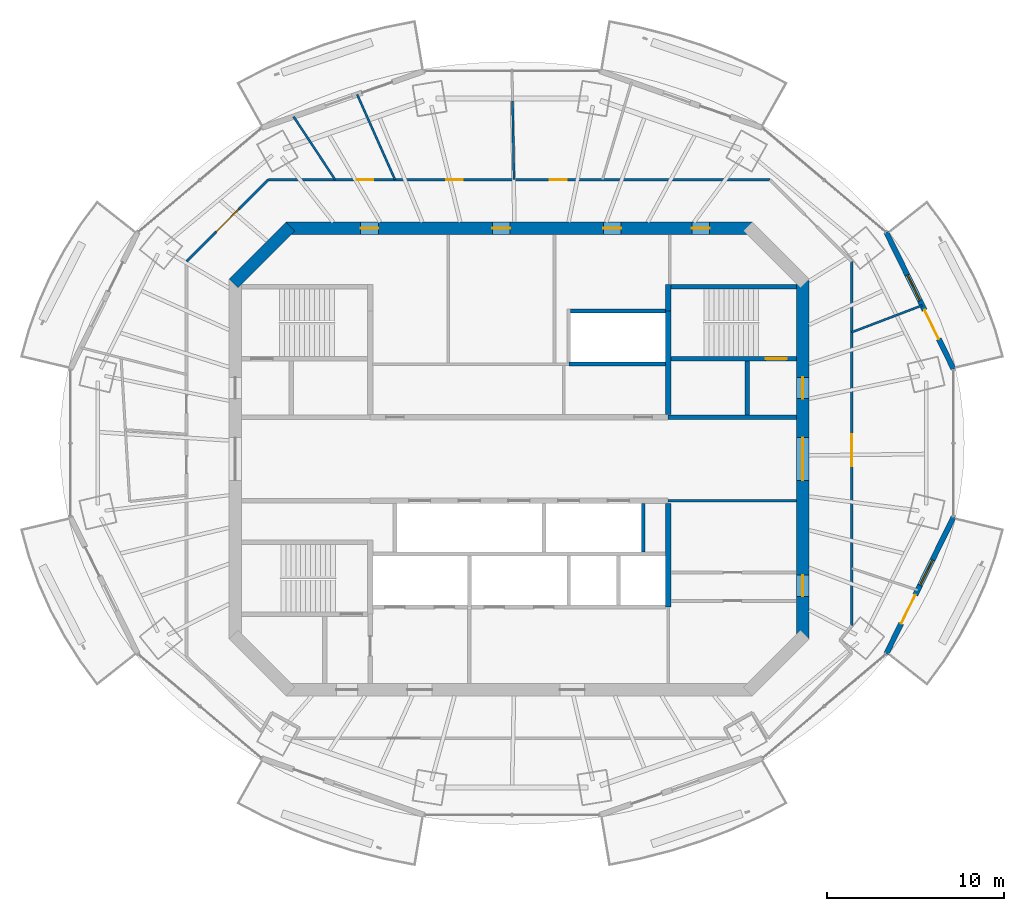
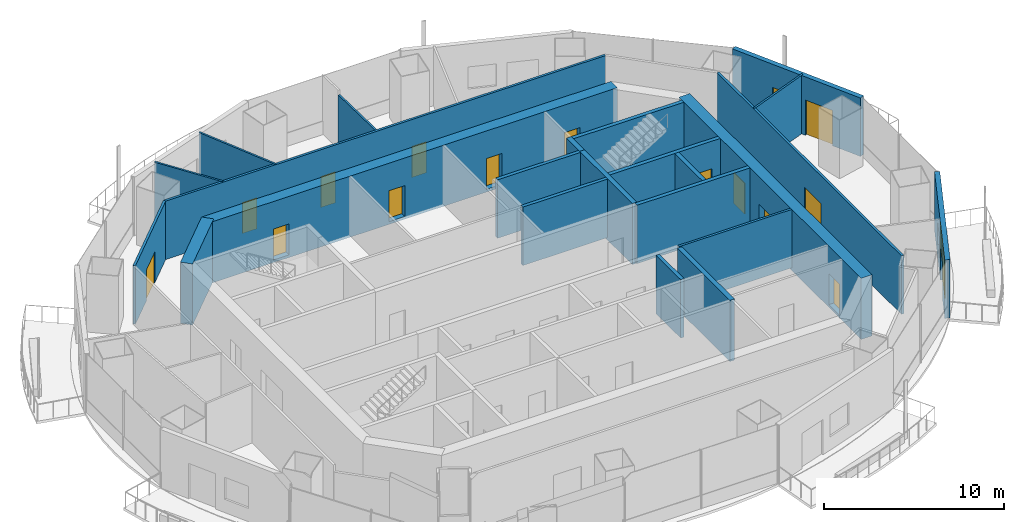
# One storey, part 10 of 15: 23 walls, 15 doors, 2 windows, 17 openings.
"""IFC4 building model written with IfcOpenShell, lengths in metres."""

from ifc_helpers import new_model, si_unit, direction, frame, frame_2d, origin, place, context, subcontext, project, spatial, rectangle, extrude, material, layer, layer_set, type_object, element, fill, save


model = new_model("IFC4")

# Units and contexts
model_context = context("Model", 3, precision=1e-05, world=origin(), true_north=direction((0.0, 1.0)))
body_context = subcontext(model_context, "Body", "Model", "MODEL_VIEW")
ifc_project = project(units=[si_unit("LENGTHUNIT", "METRE"), si_unit("AREAUNIT", "SQUARE_METRE"), si_unit("VOLUMEUNIT", "CUBIC_METRE"), si_unit("PLANEANGLEUNIT", "RADIAN"), si_unit("MASSUNIT", "GRAM", prefix="KILO")], contexts=[model_context])

# Site, building, storey
site_placement = place(None, origin())
site = spatial("IfcSite", under=ifc_project, at=site_placement, CompositionType="ELEMENT")
building_placement = place(site_placement, origin())
building = spatial("IfcBuilding", under=site, at=building_placement, Name="Marenthal Gate Tower", CompositionType="ELEMENT")
storey_placement = place(building_placement, frame((0.0, 0.0, 388.25)))
storey = spatial("IfcBuildingStorey", under=building, at=storey_placement, Name="L88", CompositionType="ELEMENT", Elevation=388.25)

# Wall, openings, doors
ifc_material_1 = material(Name="Concrete 60 MPa", Category="concrete")
ifc_layer_1 = layer(ifc_material_1, 0.699951171875)
ifc_layer_set_1 = layer_set([ifc_layer_1], Name="Core shear wall 700")
wall_type_1 = type_object("IfcWallType", Name="Core shear wall 700", PredefinedType="SHEAR", material=ifc_layer_set_1)
wall_1_placement = place(storey_placement, frame((16.0, -10.14501953125, -0.179931640625), z_axis=(0.0, 0.0, 1.0), x_axis=(0.0, 1.0, 0.0)))
wall_1 = element("IfcWall", 1, at=wall_1_placement, inside=storey, type_object=wall_type_1, Name="Core wall 02", PredefinedType="SHEAR", context=body_context, shape_type="SweptSolid", body=[
    extrude(rectangle(XDim=20.2900390625, YDim=0.699951171875, at=frame_2d((10.14501953125, 0.0))), origin(), (0.0, 0.0, 1.0), 4.14990234375),
])
opening_1_placement = place(wall_1_placement, frame((8.945068359375, 0.0, 0.179931640625)))
opening_1 = element("IfcOpeningElement", 2, at=opening_1_placement, cuts=wall_1, Name="Opening D003.02", PredefinedType="OPENING", context=body_context, shape_type="SweptSolid", body=[
    extrude(rectangle(XDim=2.39990234375, YDim=2.10009765625, at=frame_2d((1.199951171875, 1.050048828125))), frame((0.0, 0.35986328125, 0.0), z_axis=(0.0, -1.0, 0.0), x_axis=(1.0, 0.0, 0.0)), (0.0, 0.0, 1.0), 0.719970703125),
])
opening_2_placement = place(wall_1_placement, frame((13.544921875, 0.0, 0.179931640625)))
opening_2 = element("IfcOpeningElement", 3, at=opening_2_placement, cuts=wall_1, Name="Opening D001.05", PredefinedType="OPENING", context=body_context, shape_type="SweptSolid", body=[
    extrude(rectangle(XDim=1.199951171875, YDim=2.10009765625, at=frame_2d((0.60009765625, 1.050048828125))), frame((0.0, 0.35986328125, 0.0), z_axis=(0.0, -1.0, 0.0), x_axis=(1.0, 0.0, 0.0)), (0.0, 0.0, 1.0), 0.719970703125),
])
opening_3_placement = place(wall_1_placement, frame((2.39990234375, 0.0, 0.179931640625)))
opening_3 = element("IfcOpeningElement", 4, at=opening_3_placement, cuts=wall_1, Name="Opening D006.01", PredefinedType="OPENING", context=body_context, shape_type="SweptSolid", body=[
    extrude(rectangle(XDim=1.199951171875, YDim=2.10009765625, at=frame_2d((0.60009765625, 1.050048828125))), frame((0.0, 0.35986328125, 0.0), z_axis=(0.0, -1.0, 0.0), x_axis=(1.0, 0.0, 0.0)), (0.0, 0.0, 1.0), 0.719970703125),
])
ifc_material_2 = material(Name="Steel fire door", Category="steel")
door_type_1 = type_object("IfcDoorType", Name="Double fire door FD 45 2400 x 2100", OperationType="DOUBLE_DOOR_SINGLE_SWING", PredefinedType="DOOR", material=ifc_material_2)
door_1_placement = place(opening_1_placement, origin())
door_1 = element("IfcDoor", 5, at=door_1_placement, inside=storey, type_object=door_type_1, Name="Door D003.02", OperationType="DOUBLE_DOOR_SINGLE_SWING", OverallHeight=2.10009765625, OverallWidth=2.39990234375, PredefinedType="DOOR", context=body_context, shape_type="SweptSolid", body=[
    extrude(rectangle(XDim=2.39990234375, YDim=2.10009765625, at=frame_2d((1.199951171875, 1.050048828125))), frame((0.0, 0.02490234375, 0.0), z_axis=(0.0, -1.0, 0.0), x_axis=(1.0, 0.0, 0.0)), (0.0, 0.0, 1.0), 0.050048828125),
])
fill(opening_1, door_1)
ifc_material_3 = material(Name="Steel fire door", Category="steel")
door_type_2 = type_object("IfcDoorType", Name="Fire door FD 45 1200 x 2100", OperationType="NOTDEFINED", PredefinedType="DOOR", material=ifc_material_3)
door_2_placement = place(opening_3_placement, origin())
door_2 = element("IfcDoor", 6, at=door_2_placement, inside=storey, type_object=door_type_2, Name="Door D006.01", OperationType="SINGLE_SWING_RIGHT", OverallHeight=2.10009765625, OverallWidth=1.199951171875, PredefinedType="DOOR", context=body_context, shape_type="SweptSolid", body=[
    extrude(rectangle(XDim=1.199951171875, YDim=2.10009765625, at=frame_2d((0.60009765625, 1.050048828125))), frame((0.0, 0.02490234375, 0.0), z_axis=(0.0, -1.0, 0.0), x_axis=(1.0, 0.0, 0.0)), (0.0, 0.0, 1.0), 0.050048828125),
])
fill(opening_3, door_2)
ifc_material_4 = material(Name="Steel fire door", Category="steel")
door_type_3 = type_object("IfcDoorType", Name="Fire door FD 90 1200 x 2100", OperationType="NOTDEFINED", PredefinedType="DOOR", material=ifc_material_4)
door_3_placement = place(opening_2_placement, origin())
door_3 = element("IfcDoor", 7, at=door_3_placement, inside=storey, type_object=door_type_3, Name="Door D001.05", OperationType="SINGLE_SWING_RIGHT", OverallHeight=2.10009765625, OverallWidth=1.199951171875, PredefinedType="DOOR", context=body_context, shape_type="SweptSolid", body=[
    extrude(rectangle(XDim=1.199951171875, YDim=2.10009765625, at=frame_2d((0.60009765625, 1.050048828125))), frame((0.0, 0.02490234375, 0.0), z_axis=(0.0, -1.0, 0.0), x_axis=(1.0, 0.0, 0.0)), (0.0, 0.0, 1.0), 0.050048828125),
])
fill(opening_2, door_3)

wall_2_placement = place(storey_placement, frame((13.14501953125, 13.0, -0.179931640625), z_axis=(0.0, 0.0, 1.0), x_axis=(-1.0, 0.0, 0.0)))
wall_2 = element("IfcWall", 8, at=wall_2_placement, inside=storey, type_object=wall_type_1, Name="Core wall 04", PredefinedType="SHEAR", context=body_context, shape_type="SweptSolid", body=[
    extrude(rectangle(XDim=26.2900390625, YDim=0.699951171875, at=frame_2d((13.14501953125, 0.0))), origin(), (0.0, 0.0, 1.0), 4.14990234375),
])
opening_4_placement = place(wall_2_placement, frame((21.07275390625, 0.0, 0.179931640625)))
opening_4 = element("IfcOpeningElement", 9, at=opening_4_placement, cuts=wall_2, Name="Opening D005.03", PredefinedType="OPENING", context=body_context, shape_type="SweptSolid", body=[
    extrude(rectangle(XDim=1.0, YDim=2.10009765625, at=frame_2d((0.5, 1.050048828125))), frame((0.0, 0.35986328125, 0.0), z_axis=(0.0, -1.0, 0.0), x_axis=(1.0, 0.0, 0.0)), (0.0, 0.0, 1.0), 0.719970703125),
])
opening_5_placement = place(wall_2_placement, frame((13.64501953125, 0.0, 0.179931640625)))
opening_5 = element("IfcOpeningElement", 10, at=opening_5_placement, cuts=wall_2, Name="Opening D005.04", PredefinedType="OPENING", context=body_context, shape_type="SweptSolid", body=[
    extrude(rectangle(XDim=1.0, YDim=2.10009765625, at=frame_2d((0.5, 1.050048828125))), frame((0.0, 0.35986328125, 0.0), z_axis=(0.0, -1.0, 0.0), x_axis=(1.0, 0.0, 0.0)), (0.0, 0.0, 1.0), 0.719970703125),
])
opening_6_placement = place(wall_2_placement, frame((7.39501953125, 0.0, 0.179931640625)))
opening_6 = element("IfcOpeningElement", 11, at=opening_6_placement, cuts=wall_2, Name="Opening D005.05", PredefinedType="OPENING", context=body_context, shape_type="SweptSolid", body=[
    extrude(rectangle(XDim=1.0, YDim=2.10009765625, at=frame_2d((0.5, 1.050048828125))), frame((0.0, 0.35986328125, 0.0), z_axis=(0.0, -1.0, 0.0), x_axis=(1.0, 0.0, 0.0)), (0.0, 0.0, 1.0), 0.719970703125),
])
opening_7_placement = place(wall_2_placement, frame((2.39990234375, 0.0, 0.179931640625)))
opening_7 = element("IfcOpeningElement", 12, at=opening_7_placement, cuts=wall_2, Name="Opening D005.06", PredefinedType="OPENING", context=body_context, shape_type="SweptSolid", body=[
    extrude(rectangle(XDim=1.0, YDim=2.10009765625, at=frame_2d((0.5, 1.050048828125))), frame((0.0, 0.35986328125, 0.0), z_axis=(0.0, -1.0, 0.0), x_axis=(1.0, 0.0, 0.0)), (0.0, 0.0, 1.0), 0.719970703125),
])
ifc_material_5 = material(Name="Steel fire door", Category="steel")
door_type_4 = type_object("IfcDoorType", Name="Fire door FD 45 1000 x 2100", OperationType="NOTDEFINED", PredefinedType="DOOR", material=ifc_material_5)
door_4_placement = place(opening_4_placement, origin())
door_4 = element("IfcDoor", 13, at=door_4_placement, inside=storey, type_object=door_type_4, Name="Door D005.03", OperationType="SINGLE_SWING_RIGHT", OverallHeight=2.10009765625, OverallWidth=1.0, PredefinedType="DOOR", context=body_context, shape_type="SweptSolid", body=[
    extrude(rectangle(XDim=1.0, YDim=2.10009765625, at=frame_2d((0.5, 1.050048828125))), frame((0.0, 0.02490234375, 0.0), z_axis=(0.0, -1.0, 0.0), x_axis=(1.0, 0.0, 0.0)), (0.0, 0.0, 1.0), 0.050048828125),
])
fill(opening_4, door_4)
door_5_placement = place(opening_5_placement, origin())
door_5 = element("IfcDoor", 14, at=door_5_placement, inside=storey, type_object=door_type_4, Name="Door D005.04", OperationType="SINGLE_SWING_RIGHT", OverallHeight=2.10009765625, OverallWidth=1.0, PredefinedType="DOOR", context=body_context, shape_type="SweptSolid", body=[
    extrude(rectangle(XDim=1.0, YDim=2.10009765625, at=frame_2d((0.5, 1.050048828125))), frame((0.0, 0.02490234375, 0.0), z_axis=(0.0, -1.0, 0.0), x_axis=(1.0, 0.0, 0.0)), (0.0, 0.0, 1.0), 0.050048828125),
])
fill(opening_5, door_5)
door_6_placement = place(opening_6_placement, origin())
door_6 = element("IfcDoor", 15, at=door_6_placement, inside=storey, type_object=door_type_4, Name="Door D005.05", OperationType="SINGLE_SWING_RIGHT", OverallHeight=2.10009765625, OverallWidth=1.0, PredefinedType="DOOR", context=body_context, shape_type="SweptSolid", body=[
    extrude(rectangle(XDim=1.0, YDim=2.10009765625, at=frame_2d((0.5, 1.050048828125))), frame((0.0, 0.02490234375, 0.0), z_axis=(0.0, -1.0, 0.0), x_axis=(1.0, 0.0, 0.0)), (0.0, 0.0, 1.0), 0.050048828125),
])
fill(opening_6, door_6)
door_7_placement = place(opening_7_placement, origin())
door_7 = element("IfcDoor", 16, at=door_7_placement, inside=storey, type_object=door_type_4, Name="Door D005.06", OperationType="SINGLE_SWING_RIGHT", OverallHeight=2.10009765625, OverallWidth=1.0, PredefinedType="DOOR", context=body_context, shape_type="SweptSolid", body=[
    extrude(rectangle(XDim=1.0, YDim=2.10009765625, at=frame_2d((0.5, 1.050048828125))), frame((0.0, 0.02490234375, 0.0), z_axis=(0.0, -1.0, 0.0), x_axis=(1.0, 0.0, 0.0)), (0.0, 0.0, 1.0), 0.050048828125),
])
fill(opening_7, door_7)

# Walls
wall_3_placement = place(storey_placement, frame((-12.8974609375, 13.1025390625, -0.179931640625), z_axis=(0.0, 0.0, 1.0), x_axis=(-0.707106781187, -0.707106781187, 0.0)))
element("IfcWall", 17, at=wall_3_placement, inside=storey, type_object=wall_type_1, Name="Core wall 05", PredefinedType="SHEAR", context=body_context, shape_type="SweptSolid", body=[
    extrude(rectangle(XDim=4.53271484375, YDim=0.699951171875, at=frame_2d((2.266357421875, 0.0))), origin(), (0.0, 0.0, 1.0), 4.14990234375),
])
ifc_material_6 = material(Name="Concrete 50 MPa", Category="concrete")
ifc_layer_2 = layer(ifc_material_6, 0.300048828125)
ifc_layer_set_2 = layer_set([ifc_layer_2], Name="Hoistway shear wall 300")
wall_type_2 = type_object("IfcWallType", Name="Hoistway shear wall 300", PredefinedType="SHEAR", material=ifc_layer_set_2)
for number, where, z_axis, x_axis, name in (
    (18, (8.39990234375, -8.35009765625, -0.179931640625), (0.0, 0.0, 1.0), (0.0, 1.0, 0.0), "Hoistway wall 47"),
    (19, (8.39990234375, 2.5, -0.179931640625), (0.0, 0.0, 1.0), (0.0, 1.0, 0.0), "Hoistway wall 48"),
):
    element("IfcWall", number, at=place(storey_placement, frame(where, z_axis=z_axis, x_axis=x_axis)), inside=storey, type_object=wall_type_2, Name=name, PredefinedType="SHEAR", context=body_context, shape_type="SweptSolid", body=[
        extrude(rectangle(XDim=5.85009765625, YDim=0.300048828125, at=frame_2d((2.925048828125, 0.0))), origin(), (0.0, 0.0, 1.0), 4.14990234375),
    ])
ifc_material_7 = material(Name="Concrete 40 MPa", Category="concrete")
ifc_layer_3 = layer(ifc_material_7, 0.219970703125)
ifc_layer_set_3 = layer_set([ifc_layer_3], Name="Hoistway wall 220")
wall_type_3 = type_object("IfcWallType", Name="Hoistway wall 220", PredefinedType="STANDARD", material=ifc_layer_set_3)
wall_4_placement = place(storey_placement, frame((2.800048828125, 5.35009765625, 0.0), z_axis=(0.0, 0.0, 1.0), x_axis=(1.0, 0.0, 0.0)))
element("IfcWall", 20, at=wall_4_placement, inside=storey, type_object=wall_type_3, Name="Hoistway wall 23", PredefinedType="STANDARD", context=body_context, shape_type="SweptSolid", body=[
    extrude(rectangle(XDim=5.449951171875, YDim=0.219970703125, at=frame_2d((2.72509765625, 0.0))), origin(), (0.0, 0.0, 1.0), 3.969970703125),
])
wall_5_placement = place(storey_placement, frame((2.909912109375, 8.35009765625, 0.0), z_axis=(0.0, 0.0, 1.0), x_axis=(1.0, 0.0, 0.0)))
element("IfcWall", 21, at=wall_5_placement, inside=storey, type_object=wall_type_3, Name="Hoistway wall 26", PredefinedType="STANDARD", context=body_context, shape_type="SweptSolid", body=[
    extrude(rectangle(XDim=5.340087890625, YDim=0.219970703125, at=frame_2d((2.669921875, 0.0))), origin(), (0.0, 0.0, 1.0), 3.969970703125),
])
wall_6_placement = place(storey_placement, frame((7.0, -5.239990234375, 0.0), z_axis=(0.0, 0.0, 1.0), x_axis=(0.0, 1.0, 0.0)))
element("IfcWall", 22, at=wall_6_placement, inside=storey, type_object=wall_type_3, Name="Hoistway wall 45", PredefinedType="STANDARD", context=body_context, shape_type="SweptSolid", body=[
    extrude(rectangle(XDim=2.739990234375, YDim=0.219970703125, at=frame_2d((1.3701171875, 0.0))), origin(), (0.0, 0.0, 1.0), 3.969970703125),
])
ifc_material_8 = material(Name="Gypsum board on steel studs", Category="steel")
ifc_layer_4 = layer(ifc_material_8, 0.1201171875)
ifc_layer_set_4 = layer_set([ifc_layer_4], Name="Partition 120")
wall_type_4 = type_object("IfcWallType", Name="Partition 120", PredefinedType="PARTITIONING", material=ifc_layer_set_4)
wall_7_placement = place(storey_placement, frame((-10.37255859375, 15.75, 0.0), z_axis=(0.0, 0.0, 1.0), x_axis=(-0.550014013295, 0.835155425762, 0.0)))
element("IfcWall", 23, at=wall_7_placement, inside=storey, type_object=wall_type_4, Name="Partition wall 63", PredefinedType="PARTITIONING", context=body_context, shape_type="SweptSolid", body=[
    extrude(rectangle(XDim=4.251953125, YDim=0.1201171875, at=frame_2d((2.1259765625, 0.0))), origin(), (0.0, 0.0, 1.0), 3.969970703125),
])
wall_8_placement = place(storey_placement, frame((-6.99560546875, 15.75, 0.0), z_axis=(0.0, 0.0, 1.0), x_axis=(-0.405909939035, 0.913913081968, 0.0)))
element("IfcWall", 24, at=wall_8_placement, inside=storey, type_object=wall_type_4, Name="Partition wall 64", PredefinedType="PARTITIONING", context=body_context, shape_type="SweptSolid", body=[
    extrude(rectangle(XDim=5.25390625, YDim=0.1201171875, at=frame_2d((2.626953125, 0.0))), origin(), (0.0, 0.0, 1.0), 3.969970703125),
])
wall_9_placement = place(storey_placement, frame((-0.2880859375, 15.75, 0.0), z_axis=(0.0, 0.0, 1.0), x_axis=(-0.018290966414, 0.99983270628, 0.0)))
element("IfcWall", 25, at=wall_9_placement, inside=storey, type_object=wall_type_4, Name="Partition wall 65", PredefinedType="PARTITIONING", context=body_context, shape_type="SweptSolid", body=[
    extrude(rectangle(XDim=4.431396484375, YDim=0.1201171875, at=frame_2d((2.2158203125, 0.0))), origin(), (0.0, 0.0, 1.0), 3.659912109375),
])
wall_10_placement = place(storey_placement, frame((18.75, 7.14501953125, 0.0), z_axis=(0.0, 0.0, 1.0), x_axis=(0.934470468692, 0.35604064816, 0.0)))
element("IfcWall", 26, at=wall_10_placement, inside=storey, type_object=wall_type_4, Name="Partition wall 76", PredefinedType="PARTITIONING", context=body_context, shape_type="SweptSolid", body=[
    extrude(rectangle(XDim=4.256103515625, YDim=0.1201171875, at=frame_2d((2.1279296875, 0.0))), origin(), (0.0, 0.0, 1.0), 3.969970703125),
])
ifc_material_9 = material(Name="Gypsum board on steel studs", Category="steel")
ifc_layer_5 = layer(ifc_material_9, 0.14990234375)
ifc_layer_set_5 = layer_set([ifc_layer_5], Name="Partition 150")
wall_type_5 = type_object("IfcWallType", Name="Partition 150", PredefinedType="PARTITIONING", material=ifc_layer_set_5)
wall_11_placement = place(storey_placement, frame((8.39990234375, -2.35009765625, 0.0), z_axis=(0.0, 0.0, 1.0), x_axis=(1.0, 0.0, 0.0)))
element("IfcWall", 27, at=wall_11_placement, inside=storey, type_object=wall_type_5, Name="Partition wall 18", PredefinedType="PARTITIONING", context=body_context, shape_type="SweptSolid", body=[
    extrude(rectangle(XDim=7.25, YDim=0.14990234375, at=frame_2d((3.625, 0.0))), origin(), (0.0, 0.0, 1.0), 3.969970703125),
])

# Wall, opening, door
wall_12_placement = place(storey_placement, frame((-18.75, 11.13916015625, 0.0), z_axis=(0.0, 0.0, 1.0), x_axis=(0.707106781187, 0.707106781187, 0.0)))
wall_12 = element("IfcWall", 28, at=wall_12_placement, inside=storey, type_object=wall_type_5, Name="Partition wall 57", PredefinedType="PARTITIONING", context=body_context, shape_type="SweptSolid", body=[
    extrude(rectangle(XDim=6.520751953125, YDim=0.14990234375, at=frame_2d((3.26025390625, 0.0))), origin(), (0.0, 0.0, 1.0), 3.969970703125),
])
opening_8_placement = place(wall_12_placement, frame((2.360107421875, 0.0, 0.0)))
opening_8 = element("IfcOpeningElement", 29, at=opening_8_placement, cuts=wall_12, Name="Opening D014.01", PredefinedType="OPENING", context=body_context, shape_type="SweptSolid", body=[
    extrude(rectangle(XDim=1.800048828125, YDim=2.10009765625, at=frame_2d((0.89990234375, 1.050048828125))), frame((0.0, 0.0849609375, 0.0), z_axis=(0.0, -1.0, 0.0), x_axis=(1.0, 0.0, 0.0)), (0.0, 0.0, 1.0), 0.169921875),
])
ifc_material_10 = material(Name="Timber door", Category="wood")
door_type_5 = type_object("IfcDoorType", Name="Double door 1800 x 2100", OperationType="DOUBLE_DOOR_SINGLE_SWING", PredefinedType="DOOR", material=ifc_material_10)
door_8_placement = place(opening_8_placement, origin())
door_8 = element("IfcDoor", 30, at=door_8_placement, inside=storey, type_object=door_type_5, Name="Door D014.01", OperationType="DOUBLE_DOOR_SINGLE_SWING", OverallHeight=2.10009765625, OverallWidth=1.800048828125, PredefinedType="DOOR", context=body_context, shape_type="SweptSolid", body=[
    extrude(rectangle(XDim=1.800048828125, YDim=2.10009765625, at=frame_2d((0.89990234375, 1.050048828125))), frame((0.0, 0.02490234375, 0.0), z_axis=(0.0, -1.0, 0.0), x_axis=(1.0, 0.0, 0.0)), (0.0, 0.0, 1.0), 0.050048828125),
])
fill(opening_8, door_8)

# Wall, openings, doors
wall_13_placement = place(storey_placement, frame((-14.13916015625, 15.75, 0.0), z_axis=(0.0, 0.0, 1.0), x_axis=(1.0, 0.0, 0.0)))
wall_13 = element("IfcWall", 31, at=wall_13_placement, inside=storey, type_object=wall_type_5, Name="Partition wall 59", PredefinedType="PARTITIONING", context=body_context, shape_type="SweptSolid", body=[
    extrude(rectangle(XDim=28.2783203125, YDim=0.14990234375, at=frame_2d((14.13916015625, 0.0))), origin(), (0.0, 0.0, 1.0), 3.969970703125),
])
opening_9_placement = place(wall_13_placement, frame((15.87109375, 0.0, 0.0)))
opening_9 = element("IfcOpeningElement", 32, at=opening_9_placement, cuts=wall_13, Name="Opening D016.02", PredefinedType="OPENING", context=body_context, shape_type="SweptSolid", body=[
    extrude(rectangle(XDim=0.949951171875, YDim=2.10009765625, at=frame_2d((0.47509765625, 1.050048828125))), frame((0.0, 0.0849609375, 0.0), z_axis=(0.0, -1.0, 0.0), x_axis=(1.0, 0.0, 0.0)), (0.0, 0.0, 1.0), 0.169921875),
])
opening_10_placement = place(wall_13_placement, frame((10.02197265625, 0.0, 0.0)))
opening_10 = element("IfcOpeningElement", 33, at=opening_10_placement, cuts=wall_13, Name="Opening D016.03", PredefinedType="OPENING", context=body_context, shape_type="SweptSolid", body=[
    extrude(rectangle(XDim=0.949951171875, YDim=2.10009765625, at=frame_2d((0.47509765625, 1.050048828125))), frame((0.0, 0.0849609375, 0.0), z_axis=(0.0, -1.0, 0.0), x_axis=(1.0, 0.0, 0.0)), (0.0, 0.0, 1.0), 0.169921875),
])
opening_11_placement = place(wall_13_placement, frame((4.97998046875, 0.0, 0.0)))
opening_11 = element("IfcOpeningElement", 34, at=opening_11_placement, cuts=wall_13, Name="Opening D016.04", PredefinedType="OPENING", context=body_context, shape_type="SweptSolid", body=[
    extrude(rectangle(XDim=0.949951171875, YDim=2.10009765625, at=frame_2d((0.47509765625, 1.050048828125))), frame((0.0, 0.0849609375, 0.0), z_axis=(0.0, -1.0, 0.0), x_axis=(1.0, 0.0, 0.0)), (0.0, 0.0, 1.0), 0.169921875),
])
ifc_material_11 = material(Name="Timber door", Category="wood")
door_type_6 = type_object("IfcDoorType", Name="Door 950 x 2100", OperationType="NOTDEFINED", PredefinedType="DOOR", material=ifc_material_11)
door_9_placement = place(opening_9_placement, origin())
door_9 = element("IfcDoor", 35, at=door_9_placement, inside=storey, type_object=door_type_6, Name="Door D016.02", OperationType="SINGLE_SWING_RIGHT", OverallHeight=2.10009765625, OverallWidth=0.949951171875, PredefinedType="DOOR", context=body_context, shape_type="SweptSolid", body=[
    extrude(rectangle(XDim=0.949951171875, YDim=2.10009765625, at=frame_2d((0.47509765625, 1.050048828125))), frame((0.0, 0.02490234375, 0.0), z_axis=(0.0, -1.0, 0.0), x_axis=(1.0, 0.0, 0.0)), (0.0, 0.0, 1.0), 0.050048828125),
])
fill(opening_9, door_9)
door_10_placement = place(opening_10_placement, origin())
door_10 = element("IfcDoor", 36, at=door_10_placement, inside=storey, type_object=door_type_6, Name="Door D016.03", OperationType="SINGLE_SWING_RIGHT", OverallHeight=2.10009765625, OverallWidth=0.949951171875, PredefinedType="DOOR", context=body_context, shape_type="SweptSolid", body=[
    extrude(rectangle(XDim=0.949951171875, YDim=2.10009765625, at=frame_2d((0.47509765625, 1.050048828125))), frame((0.0, 0.02490234375, 0.0), z_axis=(0.0, -1.0, 0.0), x_axis=(1.0, 0.0, 0.0)), (0.0, 0.0, 1.0), 0.050048828125),
])
fill(opening_10, door_10)
door_11_placement = place(opening_11_placement, origin())
door_11 = element("IfcDoor", 37, at=door_11_placement, inside=storey, type_object=door_type_6, Name="Door D016.04", OperationType="SINGLE_SWING_RIGHT", OverallHeight=2.10009765625, OverallWidth=0.949951171875, PredefinedType="DOOR", context=body_context, shape_type="SweptSolid", body=[
    extrude(rectangle(XDim=0.949951171875, YDim=2.10009765625, at=frame_2d((0.47509765625, 1.050048828125))), frame((0.0, 0.02490234375, 0.0), z_axis=(0.0, -1.0, 0.0), x_axis=(1.0, 0.0, 0.0)), (0.0, 0.0, 1.0), 0.050048828125),
])
fill(opening_11, door_11)

# Wall, opening, door
wall_14_placement = place(storey_placement, frame((18.75, 11.13916015625, 0.0), z_axis=(0.0, 0.0, 1.0), x_axis=(0.0, -1.0, 0.0)))
wall_14 = element("IfcWall", 38, at=wall_14_placement, inside=storey, type_object=wall_type_5, Name="Partition wall 77", PredefinedType="PARTITIONING", context=body_context, shape_type="SweptSolid", body=[
    extrude(rectangle(XDim=20.51806640625, YDim=0.14990234375, at=frame_2d((10.259033203125, 0.0))), origin(), (0.0, 0.0, 1.0), 3.969970703125),
])
opening_12_placement = place(wall_14_placement, frame((9.75, 0.0, 0.0)))
opening_12 = element("IfcOpeningElement", 39, at=opening_12_placement, cuts=wall_14, Name="Opening D014.03", PredefinedType="OPENING", context=body_context, shape_type="SweptSolid", body=[
    extrude(rectangle(XDim=1.800048828125, YDim=2.10009765625, at=frame_2d((0.89990234375, 1.050048828125))), frame((0.0, 0.0849609375, 0.0), z_axis=(0.0, -1.0, 0.0), x_axis=(1.0, 0.0, 0.0)), (0.0, 0.0, 1.0), 0.169921875),
])
door_12_placement = place(opening_12_placement, origin())
door_12 = element("IfcDoor", 40, at=door_12_placement, inside=storey, type_object=door_type_5, Name="Door D014.03", OperationType="DOUBLE_DOOR_SINGLE_SWING", OverallHeight=2.10009765625, OverallWidth=1.800048828125, PredefinedType="DOOR", context=body_context, shape_type="SweptSolid", body=[
    extrude(rectangle(XDim=1.800048828125, YDim=2.10009765625, at=frame_2d((0.89990234375, 1.050048828125))), frame((0.0, 0.02490234375, 0.0), z_axis=(0.0, -1.0, 0.0), x_axis=(1.0, 0.0, 0.0)), (0.0, 0.0, 1.0), 0.050048828125),
])
fill(opening_12, door_12)

# Walls
ifc_material_12 = material(Name="Concrete 40 MPa", Category="concrete")
ifc_layer_6 = layer(ifc_material_12, 0.25)
ifc_layer_set_6 = layer_set([ifc_layer_6], Name="Stair enclosure wall 250")
wall_type_6 = type_object("IfcWallType", Name="Stair enclosure wall 250", PredefinedType="STANDARD", material=ifc_layer_set_6)
wall_15_placement = place(storey_placement, frame((8.39990234375, 2.35009765625, 0.0), z_axis=(0.0, 0.0, 1.0), x_axis=(1.0, 0.0, 0.0)))
element("IfcWall", 41, at=wall_15_placement, inside=storey, type_object=wall_type_6, Name="Stair wall 21", PredefinedType="STANDARD", context=body_context, shape_type="SweptSolid", body=[
    extrude(rectangle(XDim=7.25, YDim=0.25, at=frame_2d((3.625, 0.0))), origin(), (0.0, 0.0, 1.0), 3.969970703125),
])
wall_16_placement = place(storey_placement, frame((12.85009765625, 2.47509765625, 0.0), z_axis=(0.0, 0.0, 1.0), x_axis=(0.0, 1.0, 0.0)))
element("IfcWall", 42, at=wall_16_placement, inside=storey, type_object=wall_type_6, Name="Stair wall 51", PredefinedType="STANDARD", context=body_context, shape_type="SweptSolid", body=[
    extrude(rectangle(XDim=3.0498046875, YDim=0.25, at=frame_2d((1.52490234375, 0.0))), origin(), (0.0, 0.0, 1.0), 3.969970703125),
])

# Wall, opening, door
ifc_material_13 = material(Name="Concrete 50 MPa", Category="concrete")
ifc_layer_7 = layer(ifc_material_13, 0.25)
ifc_layer_set_7 = layer_set([ifc_layer_7], Name="Stair shear wall 250")
wall_type_7 = type_object("IfcWallType", Name="Stair shear wall 250", PredefinedType="SHEAR", material=ifc_layer_set_7)
wall_17_placement = place(storey_placement, frame((8.550048828125, 5.64990234375, -0.179931640625), z_axis=(0.0, 0.0, 1.0), x_axis=(1.0, 0.0, 0.0)))
wall_17 = element("IfcWall", 43, at=wall_17_placement, inside=storey, type_object=wall_type_7, Name="Stair wall 25", PredefinedType="SHEAR", context=body_context, shape_type="SweptSolid", body=[
    extrude(rectangle(XDim=7.099853515625, YDim=0.25, at=frame_2d((3.5498046875, 0.0))), origin(), (0.0, 0.0, 1.0), 4.14990234375),
])
opening_13_placement = place(wall_17_placement, frame((5.35009765625, 0.0, 0.179931640625)))
opening_13 = element("IfcOpeningElement", 44, at=opening_13_placement, cuts=wall_17, Name="Opening D001.02", PredefinedType="OPENING", context=body_context, shape_type="SweptSolid", body=[
    extrude(rectangle(XDim=1.199951171875, YDim=2.10009765625, at=frame_2d((0.60009765625, 1.050048828125))), frame((0.0, 0.135009765625, 0.0), z_axis=(0.0, -1.0, 0.0), x_axis=(1.0, 0.0, 0.0)), (0.0, 0.0, 1.0), 0.27001953125),
])
door_13_placement = place(opening_13_placement, origin())
door_13 = element("IfcDoor", 45, at=door_13_placement, inside=storey, type_object=door_type_3, Name="Door D001.02", OperationType="SINGLE_SWING_RIGHT", OverallHeight=2.10009765625, OverallWidth=1.199951171875, PredefinedType="DOOR", context=body_context, shape_type="SweptSolid", body=[
    extrude(rectangle(XDim=1.199951171875, YDim=2.10009765625, at=frame_2d((0.60009765625, 1.050048828125))), frame((0.0, 0.02490234375, 0.0), z_axis=(0.0, -1.0, 0.0), x_axis=(1.0, 0.0, 0.0)), (0.0, 0.0, 1.0), 0.050048828125),
])
fill(opening_13, door_13)

# Walls
wall_18_placement = place(storey_placement, frame((8.550048828125, 9.699951171875, -0.179931640625), z_axis=(0.0, 0.0, 1.0), x_axis=(1.0, 0.0, 0.0)))
element("IfcWall", 46, at=wall_18_placement, inside=storey, type_object=wall_type_7, Name="Stair wall 28", PredefinedType="SHEAR", context=body_context, shape_type="SweptSolid", body=[
    extrude(rectangle(XDim=7.099853515625, YDim=0.25, at=frame_2d((3.5498046875, 0.0))), origin(), (0.0, 0.0, 1.0), 4.14990234375),
])
ifc_material_14 = material(Name="Concrete 50 MPa", Category="concrete")
ifc_layer_8 = layer(ifc_material_14, 0.300048828125)
ifc_layer_set_8 = layer_set([ifc_layer_8], Name="Stair shear wall 300")
wall_type_8 = type_object("IfcWallType", Name="Stair shear wall 300", PredefinedType="SHEAR", material=ifc_layer_set_8)
wall_19_placement = place(storey_placement, frame((8.39990234375, 8.35009765625, -0.179931640625), z_axis=(0.0, 0.0, 1.0), x_axis=(0.0, 1.0, 0.0)))
element("IfcWall", 47, at=wall_19_placement, inside=storey, type_object=wall_type_8, Name="Stair wall 49", PredefinedType="SHEAR", context=body_context, shape_type="SweptSolid", body=[
    extrude(rectangle(XDim=1.474853515625, YDim=0.300048828125, at=frame_2d((0.7373046875, 0.0))), origin(), (0.0, 0.0, 1.0), 4.14990234375),
])

# Wall, openings, door, window
ifc_material_15 = material(Name="Terracotta cladding on insulated concrete-block backing", Category="masonry")
ifc_layer_9 = layer(ifc_material_15, 0.300048828125)
ifc_layer_set_9 = layer_set([ifc_layer_9], Name="Terracotta facade wall 300")
wall_type_9 = type_object("IfcWallType", Name="Terracotta facade wall 300", PredefinedType="SOLIDWALL", material=ifc_layer_set_9)
wall_20_placement = place(storey_placement, frame((24.4921875, 5.071044921875, 0.0), z_axis=(0.0, 0.0, 1.0), x_axis=(-0.441245353493, 0.897386504256, 0.0)))
wall_20 = element("IfcWall", 48, at=wall_20_placement, inside=storey, type_object=wall_type_9, Name="Terracotta facade wall L88 bay 1", PredefinedType="SOLIDWALL", context=body_context, shape_type="SweptSolid", body=[
    extrude(rectangle(XDim=8.58837890625, YDim=0.300048828125, at=frame_2d((4.294189453125, 0.0))), origin(), (0.0, 0.0, 1.0), 3.969970703125),
])
opening_14_placement = place(wall_20_placement, frame((1.89990234375, 0.0, 0.0)))
opening_14 = element("IfcOpeningElement", 49, at=opening_14_placement, cuts=wall_20, Name="Opening BD-L88-01", PredefinedType="OPENING", context=body_context, shape_type="SweptSolid", body=[
    extrude(rectangle(XDim=1.800048828125, YDim=2.39990234375, at=frame_2d((0.89990234375, 1.199951171875))), frame((0.0, 0.16015625, 0.0), z_axis=(0.0, -1.0, 0.0), x_axis=(1.0, 0.0, 0.0)), (0.0, 0.0, 1.0), 0.320068359375),
])
opening_15_placement = place(wall_20_placement, frame((4.300048828125, 0.0, 0.89990234375)))
opening_15 = element("IfcOpeningElement", 50, at=opening_15_placement, cuts=wall_20, Name="Opening WN3-L88-01", PredefinedType="OPENING", context=body_context, shape_type="SweptSolid", body=[
    extrude(rectangle(XDim=1.60009765625, YDim=1.5, at=frame_2d((0.800048828125, 0.75))), frame((0.0, 0.16015625, 0.0), z_axis=(0.0, -1.0, 0.0), x_axis=(1.0, 0.0, 0.0)), (0.0, 0.0, 1.0), 0.320068359375),
])
ifc_material_16 = material(Name="Aluminium and glass", Category="aluminium")
door_type_7 = type_object("IfcDoorType", Name="Balcony door 1800x2400", OperationType="DOUBLE_DOOR_SINGLE_SWING", PredefinedType="DOOR", material=ifc_material_16)
door_14_placement = place(opening_14_placement, origin())
door_14 = element("IfcDoor", 51, at=door_14_placement, inside=storey, type_object=door_type_7, Name="Balcony door L88 bay 1", OperationType="SINGLE_SWING_LEFT", OverallHeight=2.39990234375, OverallWidth=1.800048828125, PredefinedType="DOOR", context=body_context, shape_type="SweptSolid", body=[
    extrude(rectangle(XDim=1.800048828125, YDim=2.39990234375, at=frame_2d((0.89990234375, 1.199951171875))), frame((0.0, 0.02490234375, 0.0), z_axis=(0.0, -1.0, 0.0), x_axis=(1.0, 0.0, 0.0)), (0.0, 0.0, 1.0), 0.050048828125),
])
fill(opening_14, door_14)
ifc_material_17 = material(Name="Aluminium and glass", Category="aluminium")
window_type = type_object("IfcWindowType", Name="Window 1600x1500", PartitioningType="DOUBLE_PANEL_VERTICAL", PredefinedType="WINDOW", material=ifc_material_17)
window_1_placement = place(opening_15_placement, origin())
window_1 = element("IfcWindow", 52, at=window_1_placement, inside=storey, type_object=window_type, Name="Window L88 bay 1", OverallHeight=1.5, OverallWidth=1.60009765625, PartitioningType="SINGLE_PANEL", PredefinedType="WINDOW", context=body_context, shape_type="SweptSolid", body=[
    extrude(rectangle(XDim=1.60009765625, YDim=1.5, at=frame_2d((0.800048828125, 0.75))), frame((0.0, 0.030029296875, 0.0), z_axis=(0.0, -1.0, 0.0), x_axis=(1.0, 0.0, 0.0)), (0.0, 0.0, 1.0), 0.06005859375),
])
fill(opening_15, window_1)

wall_21_placement = place(storey_placement, frame((20.70263671875, -10.97802734375, 0.0), z_axis=(0.0, 0.0, 1.0), x_axis=(0.441245353493, 0.897386504256, 0.0)))
wall_21 = element("IfcWall", 53, at=wall_21_placement, inside=storey, type_object=wall_type_9, Name="Terracotta facade wall L88 bay 15", PredefinedType="SOLIDWALL", context=body_context, shape_type="SweptSolid", body=[
    extrude(rectangle(XDim=8.58837890625, YDim=0.300048828125, at=frame_2d((4.294189453125, 0.0))), origin(), (0.0, 0.0, 1.0), 3.969970703125),
])
opening_16_placement = place(wall_21_placement, frame((1.89990234375, 0.0, 0.0)))
opening_16 = element("IfcOpeningElement", 54, at=opening_16_placement, cuts=wall_21, Name="Opening BD-L88-15", PredefinedType="OPENING", context=body_context, shape_type="SweptSolid", body=[
    extrude(rectangle(XDim=1.800048828125, YDim=2.39990234375, at=frame_2d((0.89990234375, 1.199951171875))), frame((0.0, 0.16015625, 0.0), z_axis=(0.0, -1.0, 0.0), x_axis=(1.0, 0.0, 0.0)), (0.0, 0.0, 1.0), 0.320068359375),
])
opening_17_placement = place(wall_21_placement, frame((4.300048828125, 0.0, 0.89990234375)))
opening_17 = element("IfcOpeningElement", 55, at=opening_17_placement, cuts=wall_21, Name="Opening WN3-L88-15", PredefinedType="OPENING", context=body_context, shape_type="SweptSolid", body=[
    extrude(rectangle(XDim=1.60009765625, YDim=1.5, at=frame_2d((0.800048828125, 0.75))), frame((0.0, 0.16015625, 0.0), z_axis=(0.0, -1.0, 0.0), x_axis=(1.0, 0.0, 0.0)), (0.0, 0.0, 1.0), 0.320068359375),
])
door_15_placement = place(opening_16_placement, origin())
door_15 = element("IfcDoor", 56, at=door_15_placement, inside=storey, type_object=door_type_7, Name="Balcony door L88 bay 15", OperationType="SINGLE_SWING_LEFT", OverallHeight=2.39990234375, OverallWidth=1.800048828125, PredefinedType="DOOR", context=body_context, shape_type="SweptSolid", body=[
    extrude(rectangle(XDim=1.800048828125, YDim=2.39990234375, at=frame_2d((0.89990234375, 1.199951171875))), frame((0.0, 0.02490234375, 0.0), z_axis=(0.0, -1.0, 0.0), x_axis=(1.0, 0.0, 0.0)), (0.0, 0.0, 1.0), 0.050048828125),
])
fill(opening_16, door_15)
window_2_placement = place(opening_17_placement, origin())
window_2 = element("IfcWindow", 57, at=window_2_placement, inside=storey, type_object=window_type, Name="Window L88 bay 15", OverallHeight=1.5, OverallWidth=1.60009765625, PartitioningType="SINGLE_PANEL", PredefinedType="WINDOW", context=body_context, shape_type="SweptSolid", body=[
    extrude(rectangle(XDim=1.60009765625, YDim=1.5, at=frame_2d((0.800048828125, 0.75))), frame((0.0, 0.030029296875, 0.0), z_axis=(0.0, -1.0, 0.0), x_axis=(1.0, 0.0, 0.0)), (0.0, 0.0, 1.0), 0.06005859375),
])
fill(opening_17, window_2)

save(model, "model.ifc")
